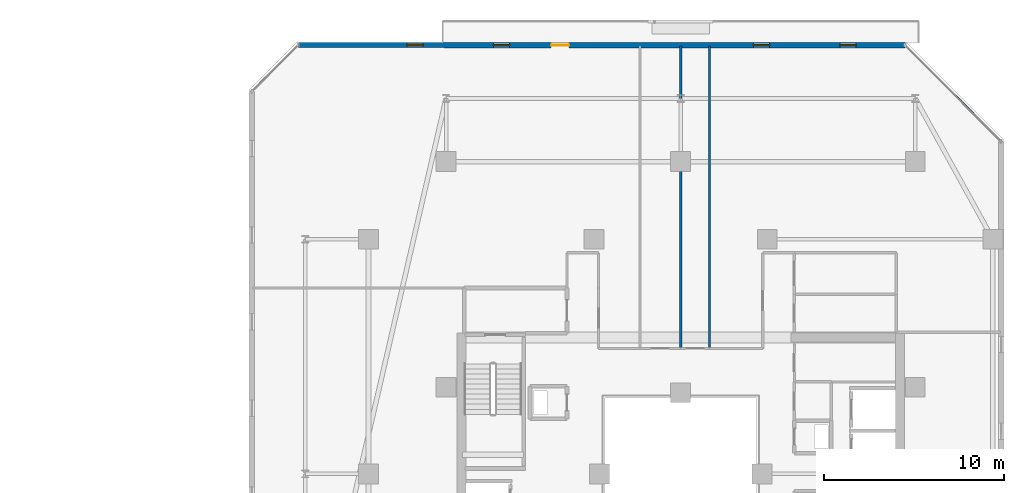
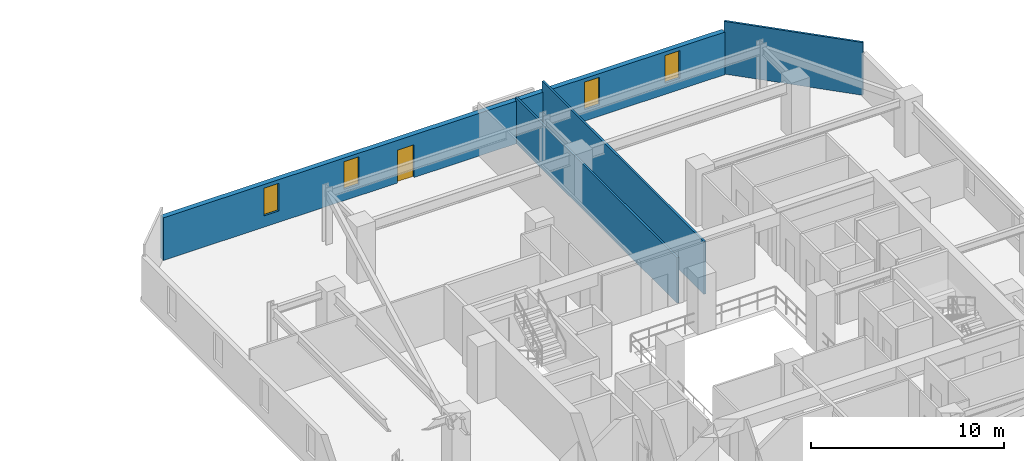
# One storey, part 26 of 33: 4 walls, 4 windows, 1 door, 5 openings.
"""IFC4 building model written with IfcOpenShell, lengths in metres."""

from ifc_helpers import new_model, si_unit, direction, frame, frame_2d, origin, place, context, subcontext, project, spatial, rectangle, extrude, material, layer, layer_set, type_object, element, fill, save


model = new_model("IFC4")

# Units and contexts
model_context = context("Model", 3, precision=1e-05, world=origin(), true_north=direction((0.0, 1.0)))
body_context = subcontext(model_context, "Body", "Model", "MODEL_VIEW")
ifc_project = project(units=[si_unit("LENGTHUNIT", "METRE"), si_unit("AREAUNIT", "SQUARE_METRE"), si_unit("VOLUMEUNIT", "CUBIC_METRE"), si_unit("PLANEANGLEUNIT", "RADIAN"), si_unit("MASSUNIT", "GRAM", prefix="KILO")], contexts=[model_context])

# Site, building, storey
site_placement = place(None, origin())
site = spatial("IfcSite", under=ifc_project, at=site_placement, CompositionType="ELEMENT")
building_placement = place(site_placement, origin())
building = spatial("IfcBuilding", under=site, at=building_placement, Name="Thornwick Lancets Civic Towers", CompositionType="ELEMENT")
storey_placement = place(building_placement, frame((0.0, 0.0, 185.699951171875)))
storey = spatial("IfcBuildingStorey", under=building, at=storey_placement, Name="L49", CompositionType="ELEMENT", Elevation=185.699951171875)

# Wall, openings, door, windows
ifc_material_1 = material(Name="Insulated russet terracotta rainscreen on concrete C40/50", Category="masonry")
ifc_layer_1 = layer(ifc_material_1, 0.300048828125, Name="Insulated russet terracotta rainscreen on concrete C40/50")
ifc_layer_set_1 = layer_set([ifc_layer_1], Name="Insulated russet terracotta rainscreen on concrete C40/50")
wall_type_1 = type_object("IfcWallType", Name="WALL_EXT_RUSSET_300", PredefinedType="STANDARD", material=ifc_layer_set_1)
wall_1_placement = place(storey_placement, frame((100.923583984375, 50.755615234375, 0.0), z_axis=(0.0, 0.0, 1.0), x_axis=(-0.999999963872, 0.000268805477, 0.0)))
wall_1 = element("IfcWall", 1, at=wall_1_placement, inside=storey, type_object=wall_type_1, Name="L49 Tower B Terracotta Facade Wall E4", PredefinedType="STANDARD", context=body_context, shape_type="SweptSolid", body=[
    extrude(rectangle(XDim=33.60498046875, YDim=0.300048828125, at=frame_2d((16.802490234375, 0.0))), origin(), (0.0, 0.0, 1.0), 2.699951171875),
])
opening_1_placement = place(wall_1_placement, frame((18.6025390625, 0.0, 0.0)))
opening_1 = element("IfcOpeningElement", 2, at=opening_1_placement, cuts=wall_1, Name="Opening D-BL-L49-BN", PredefinedType="OPENING", context=body_context, shape_type="SweptSolid", body=[
    extrude(rectangle(XDim=1.0, YDim=2.080078125, at=frame_2d((0.5, 1.0400390625))), frame((0.0, 0.16015625, 0.0), z_axis=(0.0, -1.0, 0.0), x_axis=(1.0, 0.0, 0.0)), (0.0, 0.0, 1.0), 0.320068359375),
])
opening_2_placement = place(wall_1_placement, frame((2.699951171875, 0.0, 0.719970703125)))
opening_2 = element("IfcOpeningElement", 3, at=opening_2_placement, cuts=wall_1, Name="Opening WL-01", PredefinedType="OPENING", context=body_context, shape_type="SweptSolid", body=[
    extrude(rectangle(XDim=0.89990234375, YDim=1.75, at=frame_2d((0.449951171875, 0.875))), frame((0.0, 0.16015625, 0.0), z_axis=(0.0, -1.0, 0.0), x_axis=(1.0, 0.0, 0.0)), (0.0, 0.0, 1.0), 0.320068359375),
])
opening_3_placement = place(wall_1_placement, frame((7.5, 0.0, 0.719970703125)))
opening_3 = element("IfcOpeningElement", 4, at=opening_3_placement, cuts=wall_1, Name="Opening WL-01", PredefinedType="OPENING", context=body_context, shape_type="SweptSolid", body=[
    extrude(rectangle(XDim=0.89990234375, YDim=1.75, at=frame_2d((0.449951171875, 0.875))), frame((0.0, 0.16015625, 0.0), z_axis=(0.0, -1.0, 0.0), x_axis=(1.0, 0.0, 0.0)), (0.0, 0.0, 1.0), 0.320068359375),
])
opening_4_placement = place(wall_1_placement, frame((21.89990234375, 0.0, 0.719970703125)))
opening_4 = element("IfcOpeningElement", 5, at=opening_4_placement, cuts=wall_1, Name="Opening WL-01", PredefinedType="OPENING", context=body_context, shape_type="SweptSolid", body=[
    extrude(rectangle(XDim=0.89990234375, YDim=1.75, at=frame_2d((0.449951171875, 0.875))), frame((0.0, 0.16015625, 0.0), z_axis=(0.0, -1.0, 0.0), x_axis=(1.0, 0.0, 0.0)), (0.0, 0.0, 1.0), 0.320068359375),
])
opening_5_placement = place(wall_1_placement, frame((26.699951171875, 0.0, 0.719970703125)))
opening_5 = element("IfcOpeningElement", 6, at=opening_5_placement, cuts=wall_1, Name="Opening WL-01", PredefinedType="OPENING", context=body_context, shape_type="SweptSolid", body=[
    extrude(rectangle(XDim=0.89990234375, YDim=1.75, at=frame_2d((0.449951171875, 0.875))), frame((0.0, 0.16015625, 0.0), z_axis=(0.0, -1.0, 0.0), x_axis=(1.0, 0.0, 0.0)), (0.0, 0.0, 1.0), 0.320068359375),
])
ifc_material_2 = material(Name="Thermally broken glazed loggia doorset")
door_type = type_object("IfcDoorType", Name="DOOR_BALC_1000", OperationType="NOTDEFINED", PredefinedType="DOOR", material=ifc_material_2)
door_placement = place(opening_1_placement, origin())
door = element("IfcDoor", 7, at=door_placement, inside=storey, type_object=door_type, Name="L49 Tower B Loggia Balcony Door N", OperationType="SINGLE_SWING_RIGHT", OverallHeight=2.080078125, OverallWidth=1.0, PredefinedType="DOOR", context=body_context, shape_type="SweptSolid", body=[
    extrude(rectangle(XDim=1.0, YDim=2.080078125, at=frame_2d((0.5, 1.0400390625))), frame((0.0, 0.02490234375, 0.0), z_axis=(0.0, -1.0, 0.0), x_axis=(1.0, 0.0, 0.0)), (0.0, 0.0, 1.0), 0.050048828125),
])
fill(opening_1, door)
ifc_material_3 = material(Name="Clear low-e double glazing in bronze frame", Category="glass")
window_type = type_object("IfcWindowType", Name="WIN_LANCET_900", PartitioningType="SINGLE_PANEL", PredefinedType="WINDOW", material=ifc_material_3)
window_1_placement = place(opening_2_placement, origin())
window_1 = element("IfcWindow", 8, at=window_1_placement, inside=storey, type_object=window_type, Name="L49 Tower B Staggered Lancet Window E4-1", OverallHeight=1.75, OverallWidth=0.89990234375, PartitioningType="SINGLE_PANEL", PredefinedType="WINDOW", context=body_context, shape_type="SweptSolid", body=[
    extrude(rectangle(XDim=0.89990234375, YDim=1.75, at=frame_2d((0.449951171875, 0.875))), frame((0.0, 0.030029296875, 0.0), z_axis=(0.0, -1.0, 0.0), x_axis=(1.0, 0.0, 0.0)), (0.0, 0.0, 1.0), 0.06005859375),
])
fill(opening_2, window_1)
window_2_placement = place(opening_3_placement, origin())
window_2 = element("IfcWindow", 9, at=window_2_placement, inside=storey, type_object=window_type, Name="L49 Tower B Staggered Lancet Window E4-2", OverallHeight=1.75, OverallWidth=0.89990234375, PartitioningType="SINGLE_PANEL", PredefinedType="WINDOW", context=body_context, shape_type="SweptSolid", body=[
    extrude(rectangle(XDim=0.89990234375, YDim=1.75, at=frame_2d((0.449951171875, 0.875))), frame((0.0, 0.030029296875, 0.0), z_axis=(0.0, -1.0, 0.0), x_axis=(1.0, 0.0, 0.0)), (0.0, 0.0, 1.0), 0.06005859375),
])
fill(opening_3, window_2)
window_3_placement = place(opening_4_placement, origin())
window_3 = element("IfcWindow", 10, at=window_3_placement, inside=storey, type_object=window_type, Name="L49 Tower B Staggered Lancet Window E4-3", OverallHeight=1.75, OverallWidth=0.89990234375, PartitioningType="SINGLE_PANEL", PredefinedType="WINDOW", context=body_context, shape_type="SweptSolid", body=[
    extrude(rectangle(XDim=0.89990234375, YDim=1.75, at=frame_2d((0.449951171875, 0.875))), frame((0.0, 0.030029296875, 0.0), z_axis=(0.0, -1.0, 0.0), x_axis=(1.0, 0.0, 0.0)), (0.0, 0.0, 1.0), 0.06005859375),
])
fill(opening_4, window_3)
window_4_placement = place(opening_5_placement, origin())
window_4 = element("IfcWindow", 11, at=window_4_placement, inside=storey, type_object=window_type, Name="L49 Tower B Staggered Lancet Window E4-4", OverallHeight=1.75, OverallWidth=0.89990234375, PartitioningType="SINGLE_PANEL", PredefinedType="WINDOW", context=body_context, shape_type="SweptSolid", body=[
    extrude(rectangle(XDim=0.89990234375, YDim=1.75, at=frame_2d((0.449951171875, 0.875))), frame((0.0, 0.030029296875, 0.0), z_axis=(0.0, -1.0, 0.0), x_axis=(1.0, 0.0, 0.0)), (0.0, 0.0, 1.0), 0.06005859375),
])
fill(opening_5, window_4)

# Walls
ifc_material_4 = material(Name="Acoustic gypsum board partition")
ifc_layer_2 = layer(ifc_material_4, 0.1201171875, Name="Acoustic gypsum board partition")
ifc_layer_set_2 = layer_set([ifc_layer_2], Name="Acoustic gypsum board partition")
wall_type_2 = type_object("IfcWallType", Name="WALL_PART_120", PredefinedType="PARTITIONING", material=ifc_layer_set_2)
wall_2_placement = place(storey_placement, frame((90.10009765625, 33.949951171875, 0.0), z_axis=(0.0, 0.0, 1.0), x_axis=(0.0, 1.0, 0.0)))
element("IfcWall", 12, at=wall_2_placement, inside=storey, type_object=wall_type_2, Name="L49 Partition L49-B-E1 E7", PredefinedType="PARTITIONING", context=body_context, shape_type="SweptSolid", body=[
    extrude(rectangle(XDim=16.77001953125, YDim=0.1201171875, at=frame_2d((8.385009765625, 0.0))), origin(), (0.0, 0.0, 1.0), 3.340087890625),
])
wall_3_placement = place(storey_placement, frame((100.956298828125, 50.719970703125, 0.0), z_axis=(0.0, 0.0, 1.0), x_axis=(0.707106781187, -0.707106781187, 0.0)))
element("IfcWall", 13, at=wall_3_placement, inside=storey, type_object=wall_type_2, Name="L49 Partition L49-B-E1 E9", PredefinedType="PARTITIONING", context=body_context, shape_type="SweptSolid", body=[
    extrude(rectangle(XDim=7.44384765625, YDim=0.1201171875, at=frame_2d((3.721923828125, 0.0))), origin(), (0.0, 0.0, 1.0), 3.340087890625),
])
wall_4_placement = place(storey_placement, frame((88.5, 33.949951171875, 0.0), z_axis=(0.0, 0.0, 1.0), x_axis=(0.0, 1.0, 0.0)))
element("IfcWall", 14, at=wall_4_placement, inside=storey, type_object=wall_type_2, Name="L49 Partition L49-B-E2 E1", PredefinedType="PARTITIONING", context=body_context, shape_type="SweptSolid", body=[
    extrude(rectangle(XDim=16.77001953125, YDim=0.1201171875, at=frame_2d((8.385009765625, 0.0))), origin(), (0.0, 0.0, 1.0), 2.8779296875),
])

save(model, "model.ifc")
